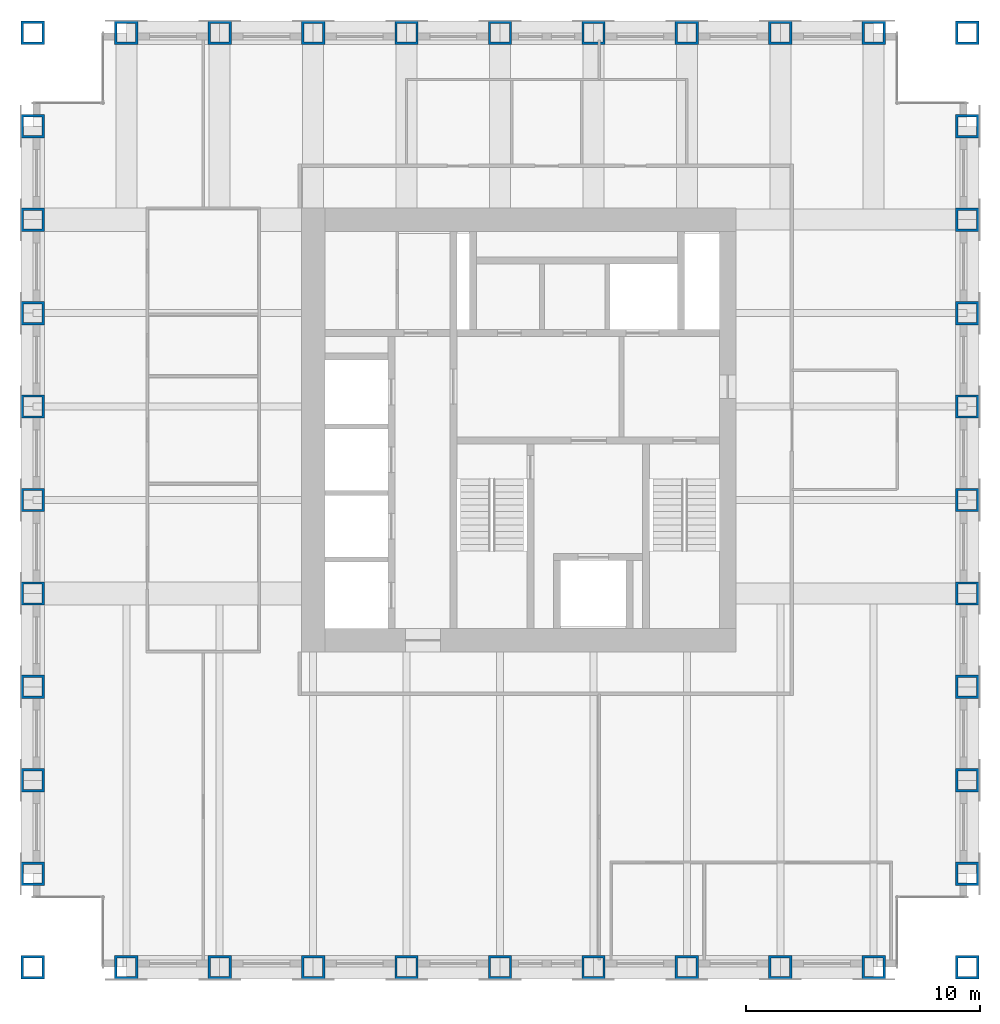
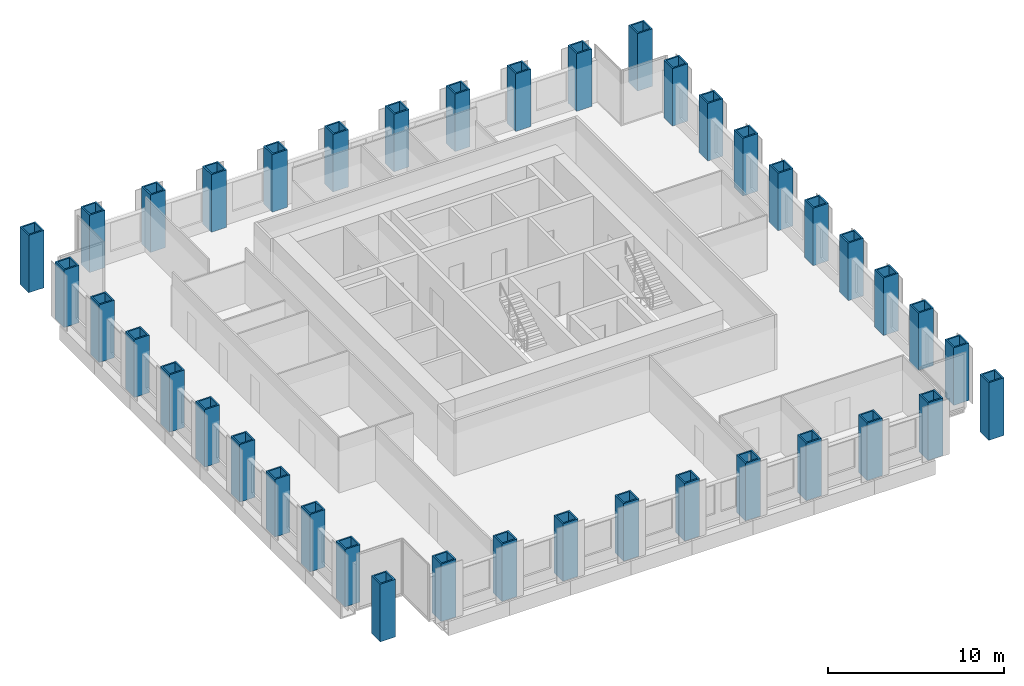
# One storey, part 1 of 11: 40 columns.
"""IFC4 building model written with IfcOpenShell, lengths in metres."""

from ifc_helpers import new_model, si_unit, direction, frame, origin, origin_2d, place, context, subcontext, project, spatial, hollow_rectangle, extrude, material, material_profile, profile_set, type_object, element, save


model = new_model("IFC4")

# Units and contexts
model_context = context("Model", 3, precision=1e-05, world=origin(), true_north=direction((0.0, 1.0)))
body_context = subcontext(model_context, "Body", "Model", "MODEL_VIEW")
ifc_project = project(units=[si_unit("LENGTHUNIT", "METRE"), si_unit("AREAUNIT", "SQUARE_METRE"), si_unit("VOLUMEUNIT", "CUBIC_METRE"), si_unit("PLANEANGLEUNIT", "RADIAN"), si_unit("MASSUNIT", "GRAM", prefix="KILO")], contexts=[model_context])

# Site, building, storey
site_placement = place(None, origin())
site = spatial("IfcSite", under=ifc_project, at=site_placement, CompositionType="ELEMENT")
building_placement = place(site_placement, origin())
building = spatial("IfcBuilding", under=site, at=building_placement, Name="Rimbunsela Tower", CompositionType="ELEMENT")
storey_placement = place(building_placement, frame((0.0, 0.0, 282.199951171875)))
storey = spatial("IfcBuildingStorey", under=building, at=storey_placement, Name="L68", CompositionType="ELEMENT", Elevation=282.199951171875)

# Columns
ifc_material = material(Name="Steel BJ 55 (fy 410 MPa)", Category="steel")
ifc_material_profile = material_profile(ifc_material, hollow_rectangle(XDim=1.0, YDim=1.0, WallThickness=0.10009765625, at=origin_2d()), Name="BOX 1000x1000x100")
ifc_profile_set = profile_set([ifc_material_profile], Name="Steel BJ 55 (fy 410 MPa)")
column_type = type_object("IfcColumnType", Name="Column BOX 1000x1000x100", PredefinedType="COLUMN", material=ifc_profile_set)
for number, where, z_axis, x_axis, name in (
    (1, (6.0, 4.0, 0.0), (0.0, 0.0, 1.0), (1.0, 0.0, 0.0), "Column C1 4/C L68"),
    (2, (6.0, 8.0, 0.0), (0.0, 0.0, 1.0), (1.0, 0.0, 0.0), "Column C1 4/D L68"),
    (3, (6.0, 12.0, 0.0), (0.0, 0.0, 1.0), (1.0, 0.0, 0.0), "Column C1 4/E L68"),
    (4, (6.0, 16.0, 0.0), (0.0, 0.0, 1.0), (1.0, 0.0, 0.0), "Column C1 4/F L68"),
    (5, (6.0, 20.0, 0.0), (0.0, 0.0, 1.0), (1.0, 0.0, 0.0), "Column C1 4/G L68"),
    (6, (6.0, 24.0, 0.0), (0.0, 0.0, 1.0), (1.0, 0.0, 0.0), "Column C1 4/H L68"),
    (7, (6.0, 28.0, 0.0), (0.0, 0.0, 1.0), (1.0, 0.0, 0.0), "Column C1 4/J L68"),
    (8, (6.0, 32.0, 0.0), (0.0, 0.0, 1.0), (1.0, 0.0, 0.0), "Column C1 4/K L68"),
    (9, (6.0, 36.0, 0.0), (0.0, 0.0, 1.0), (1.0, 0.0, 0.0), "Column C1 4/L L68"),
    (10, (6.0, 40.0, 0.0), (0.0, 0.0, 1.0), (1.0, 0.0, 0.0), "Column C1 4/M L68"),
    (11, (6.0, 44.0, 0.0), (0.0, 0.0, 1.0), (1.0, 0.0, 0.0), "Column C1 4/N L68"),
    (12, (10.0, 4.0, 0.0), (0.0, 0.0, 1.0), (1.0, 0.0, 0.0), "Column C1 5/C L68"),
    (13, (10.0, 44.0, 0.0), (0.0, 0.0, 1.0), (1.0, 0.0, 0.0), "Column C1 5/N L68"),
    (14, (14.0, 4.0, 0.0), (0.0, 0.0, 1.0), (1.0, 0.0, 0.0), "Column C1 6/C L68"),
    (15, (14.0, 44.0, 0.0), (0.0, 0.0, 1.0), (1.0, 0.0, 0.0), "Column C1 6/N L68"),
    (16, (18.0, 4.0, 0.0), (0.0, 0.0, 1.0), (1.0, 0.0, 0.0), "Column C1 7/C L68"),
    (17, (18.0, 44.0, 0.0), (0.0, 0.0, 1.0), (1.0, 0.0, 0.0), "Column C1 7/N L68"),
    (18, (22.0, 4.0, 0.0), (0.0, 0.0, 1.0), (1.0, 0.0, 0.0), "Column C1 8/C L68"),
    (19, (22.0, 44.0, 0.0), (0.0, 0.0, 1.0), (1.0, 0.0, 0.0), "Column C1 8/N L68"),
    (20, (26.0, 4.0, 0.0), (0.0, 0.0, 1.0), (1.0, 0.0, 0.0), "Column C1 9/C L68"),
    (21, (26.0, 44.0, 0.0), (0.0, 0.0, 1.0), (1.0, 0.0, 0.0), "Column C1 9/N L68"),
    (22, (30.0, 4.0, 0.0), (0.0, 0.0, 1.0), (1.0, 0.0, 0.0), "Column C1 10/C L68"),
    (23, (30.0, 44.0, 0.0), (0.0, 0.0, 1.0), (1.0, 0.0, 0.0), "Column C1 10/N L68"),
    (24, (34.0, 4.0, 0.0), (0.0, 0.0, 1.0), (1.0, 0.0, 0.0), "Column C1 11/C L68"),
    (25, (34.0, 44.0, 0.0), (0.0, 0.0, 1.0), (1.0, 0.0, 0.0), "Column C1 11/N L68"),
    (26, (38.0, 4.0, 0.0), (0.0, 0.0, 1.0), (1.0, 0.0, 0.0), "Column C1 12/C L68"),
    (27, (38.0, 44.0, 0.0), (0.0, 0.0, 1.0), (1.0, 0.0, 0.0), "Column C1 12/N L68"),
    (28, (42.0, 4.0, 0.0), (0.0, 0.0, 1.0), (1.0, 0.0, 0.0), "Column C1 13/C L68"),
    (29, (42.0, 44.0, 0.0), (0.0, 0.0, 1.0), (1.0, 0.0, 0.0), "Column C1 13/N L68"),
    (30, (46.0, 4.0, 0.0), (0.0, 0.0, 1.0), (1.0, 0.0, 0.0), "Column C1 14/C L68"),
    (31, (46.0, 8.0, 0.0), (0.0, 0.0, 1.0), (1.0, 0.0, 0.0), "Column C1 14/D L68"),
    (32, (46.0, 12.0, 0.0), (0.0, 0.0, 1.0), (1.0, 0.0, 0.0), "Column C1 14/E L68"),
    (33, (46.0, 16.0, 0.0), (0.0, 0.0, 1.0), (1.0, 0.0, 0.0), "Column C1 14/F L68"),
    (34, (46.0, 20.0, 0.0), (0.0, 0.0, 1.0), (1.0, 0.0, 0.0), "Column C1 14/G L68"),
    (35, (46.0, 24.0, 0.0), (0.0, 0.0, 1.0), (1.0, 0.0, 0.0), "Column C1 14/H L68"),
    (36, (46.0, 28.0, 0.0), (0.0, 0.0, 1.0), (1.0, 0.0, 0.0), "Column C1 14/J L68"),
    (37, (46.0, 32.0, 0.0), (0.0, 0.0, 1.0), (1.0, 0.0, 0.0), "Column C1 14/K L68"),
    (38, (46.0, 36.0, 0.0), (0.0, 0.0, 1.0), (1.0, 0.0, 0.0), "Column C1 14/L L68"),
    (39, (46.0, 40.0, 0.0), (0.0, 0.0, 1.0), (1.0, 0.0, 0.0), "Column C1 14/M L68"),
    (40, (46.0, 44.0, 0.0), (0.0, 0.0, 1.0), (1.0, 0.0, 0.0), "Column C1 14/N L68"),
):
    element("IfcColumn", number, at=place(storey_placement, frame(where, z_axis=z_axis, x_axis=x_axis)), inside=storey, type_object=column_type, Name=name, PredefinedType="COLUMN", context=body_context, shape_type="SweptSolid", body=[
        extrude(hollow_rectangle(XDim=1.0, YDim=1.0, WallThickness=0.10009765625, at=origin_2d()), origin(), (0.0, 0.0, 1.0), 4.0),
    ])

save(model, "model.ifc")
